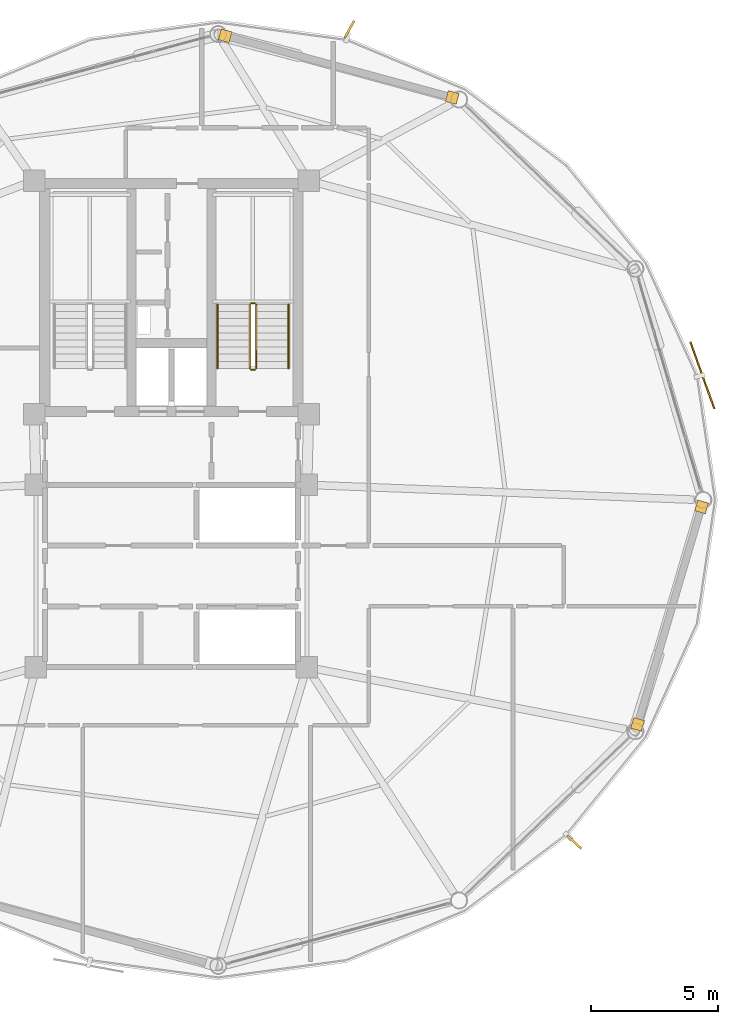
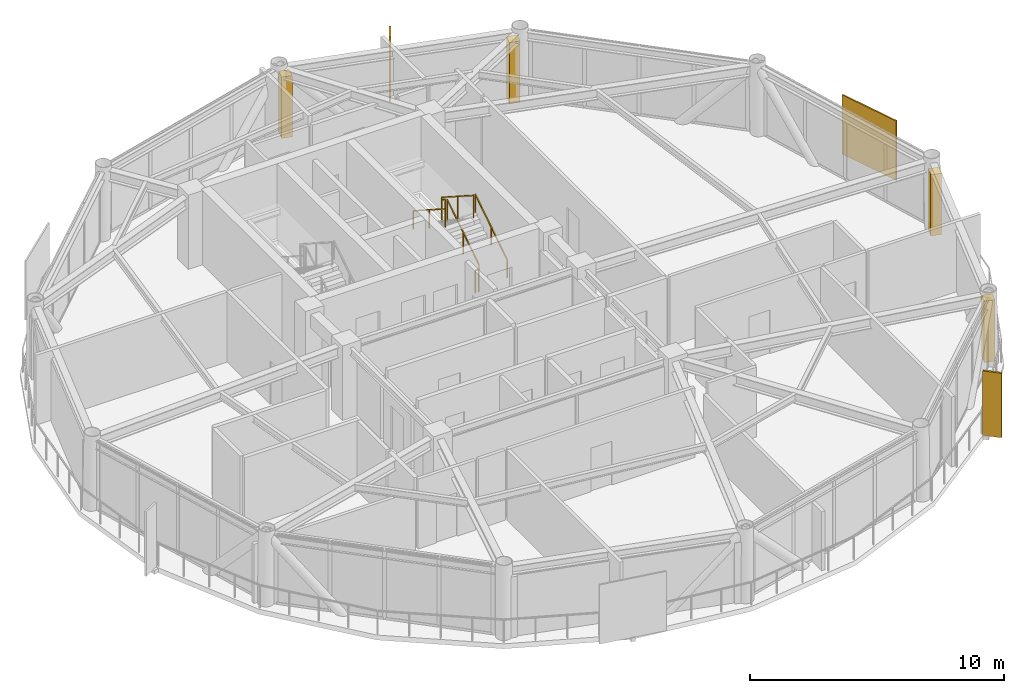
# One storey, part 28 of 28: 6 railings, 4 coverings, 3 shading devices.
"""IFC4 building model written with IfcOpenShell, lengths in metres."""

from ifc_helpers import new_model, si_unit, direction, frame, origin, origin_2d, place, context, subcontext, project, spatial, rectangle, extrude, source, transform, mapped, material, layer, layer_set, type_object, type_shapes, element, save


model = new_model("IFC4")

# Units and contexts
model_context = context("Model", 3, precision=1e-05, world=origin(), true_north=direction((0.0, 1.0)))
body_context = subcontext(model_context, "Body", "Model", "MODEL_VIEW")
ifc_project = project(units=[si_unit("LENGTHUNIT", "METRE"), si_unit("AREAUNIT", "SQUARE_METRE"), si_unit("VOLUMEUNIT", "CUBIC_METRE"), si_unit("PLANEANGLEUNIT", "RADIAN"), si_unit("MASSUNIT", "GRAM", prefix="KILO")], contexts=[model_context])

# Site, building, storey
site_placement = place(None, origin())
site = spatial("IfcSite", under=ifc_project, at=site_placement, CompositionType="ELEMENT")
building_placement = place(site_placement, origin())
building = spatial("IfcBuilding", under=site, at=building_placement, Name="Varnakorn Sky Granary", CompositionType="ELEMENT")
storey_placement = place(building_placement, frame((0.0, 0.0, 211.199951171875)))
storey = spatial("IfcBuildingStorey", under=building, at=storey_placement, Name="L53", CompositionType="ELEMENT", Elevation=211.199951171875)

# Railings
ifc_material_1 = material(Name="Brushed Stainless Steel 316", Category="steel")
railing_type_1 = type_object("IfcRailingType", Name="RL-STAIR-1100", PredefinedType="GUARDRAIL", material=ifc_material_1)
railing_1_placement = place(storey_placement, frame((6.35009765625, 5.199951171875, 0.179931640625)))
element("IfcRailing", 1, at=railing_1_placement, inside=storey, type_object=railing_type_1, Name="L53 ST-2 stair guard 1", PredefinedType="GUARDRAIL", context=body_context, shape_type="SweptSolid", body=[
    extrude(rectangle(XDim=0.048095703125, YDim=0.048095703125, at=origin_2d()), frame((0.0, 0.0, 1.076171875), z_axis=(0.0, 0.841162588446, 0.540782303519), x_axis=(-1.0, 0.0, 0.0)), (0.0, 0.0, 1.0), 2.995849609375),
    extrude(rectangle(XDim=0.0419921875, YDim=0.0419921875, at=origin_2d()), origin(), (0.0, 0.0, 1.0), 1.048095703125),
    extrude(rectangle(XDim=0.0419921875, YDim=0.0419921875, at=origin_2d()), frame((0.0, 1.260009765625, 0.81005859375)), (0.0, 0.0, 1.0), 1.048095703125),
    extrude(rectangle(XDim=0.0419921875, YDim=0.0419921875, at=origin_2d()), frame((0.0, 2.52001953125, 1.6201171875)), (0.0, 0.0, 1.0), 1.048095703125),
])
railing_2_placement = place(storey_placement, frame((6.300048828125, 7.77001953125, 1.800048828125)))
element("IfcRailing", 2, at=railing_2_placement, inside=storey, type_object=railing_type_1, Name="L53 ST-2 stair guard 2", PredefinedType="GUARDRAIL", context=body_context, shape_type="SweptSolid", body=[
    extrude(rectangle(XDim=0.048095703125, YDim=0.048095703125, at=origin_2d()), frame((0.0, 0.0, 1.076171875), z_axis=(-1.0, 0.0, 0.0), x_axis=(0.0, -1.0, 0.0)), (0.0, 0.0, 1.0), 0.150146484375),
    extrude(rectangle(XDim=0.0419921875, YDim=0.0419921875, at=origin_2d()), origin(), (0.0, 0.0, 1.0), 1.048095703125),
    extrude(rectangle(XDim=0.0419921875, YDim=0.0419921875, at=origin_2d()), frame((-0.150146484375, 0.0, 0.0)), (0.0, 0.0, 1.0), 1.048095703125),
])
railing_3_placement = place(storey_placement, frame((6.10009765625, 7.719970703125, 1.97998046875)))
element("IfcRailing", 3, at=railing_3_placement, inside=storey, type_object=railing_type_1, Name="L53 ST-2 stair guard 3", PredefinedType="GUARDRAIL", context=body_context, shape_type="SweptSolid", body=[
    extrude(rectangle(XDim=0.048095703125, YDim=0.048095703125, at=origin_2d()), frame((0.0, 0.0, 1.076171875), z_axis=(0.0, -0.841162588446, 0.540782303519), x_axis=(1.0, 0.0, 0.0)), (0.0, 0.0, 1.0), 2.995849609375),
    extrude(rectangle(XDim=0.0419921875, YDim=0.0419921875, at=origin_2d()), origin(), (0.0, 0.0, 1.0), 1.048095703125),
    extrude(rectangle(XDim=0.0419921875, YDim=0.0419921875, at=origin_2d()), frame((0.0, -1.260009765625, 0.81005859375)), (0.0, 0.0, 1.0), 1.048095703125),
    extrude(rectangle(XDim=0.0419921875, YDim=0.0419921875, at=origin_2d()), frame((0.0, -2.52001953125, 1.6201171875)), (0.0, 0.0, 1.0), 1.048095703125),
])
railing_4_placement = place(storey_placement, frame((6.300048828125, 5.14990234375, 0.0)))
element("IfcRailing", 4, at=railing_4_placement, inside=storey, type_object=railing_type_1, Name="L53 ST-2 stair guard 4", PredefinedType="GUARDRAIL", context=body_context, shape_type="SweptSolid", body=[
    extrude(rectangle(XDim=0.048095703125, YDim=0.048095703125, at=origin_2d()), frame((0.0, 0.0, 1.076171875), z_axis=(-1.0, 0.0, 0.0), x_axis=(0.0, -1.0, 0.0)), (0.0, 0.0, 1.0), 0.150146484375),
    extrude(rectangle(XDim=0.0419921875, YDim=0.0419921875, at=origin_2d()), origin(), (0.0, 0.0, 1.0), 1.048095703125),
    extrude(rectangle(XDim=0.0419921875, YDim=0.0419921875, at=origin_2d()), frame((-0.150146484375, 0.0, 0.0)), (0.0, 0.0, 1.0), 1.048095703125),
])
railing_type_2 = type_object("IfcRailingType", Name="RL-STAIR-920", PredefinedType="HANDRAIL", material=ifc_material_1)
railing_5_placement = place(storey_placement, frame((7.6298828125, 5.199951171875, 0.179931640625)))
element("IfcRailing", 5, at=railing_5_placement, inside=storey, type_object=railing_type_2, Name="L53 ST-2 stair handrail 1", PredefinedType="HANDRAIL", context=body_context, shape_type="SweptSolid", body=[
    extrude(rectangle(XDim=0.048095703125, YDim=0.048095703125, at=origin_2d()), frame((0.0, 0.0, 0.8759765625), z_axis=(0.0, 0.841162588446, 0.540782303519), x_axis=(-1.0, 0.0, 0.0)), (0.0, 0.0, 1.0), 2.995849609375),
    extrude(rectangle(XDim=0.0419921875, YDim=0.0419921875, at=origin_2d()), origin(), (0.0, 0.0, 1.0), 0.847900390625),
    extrude(rectangle(XDim=0.0419921875, YDim=0.0419921875, at=origin_2d()), frame((0.0, 1.260009765625, 0.81005859375)), (0.0, 0.0, 1.0), 0.847900390625),
    extrude(rectangle(XDim=0.0419921875, YDim=0.0419921875, at=origin_2d()), frame((0.0, 2.52001953125, 1.6201171875)), (0.0, 0.0, 1.0), 0.847900390625),
])
railing_6_placement = place(storey_placement, frame((4.820068359375, 7.719970703125, 1.97998046875)))
element("IfcRailing", 6, at=railing_6_placement, inside=storey, type_object=railing_type_2, Name="L53 ST-2 stair handrail 2", PredefinedType="HANDRAIL", context=body_context, shape_type="SweptSolid", body=[
    extrude(rectangle(XDim=0.048095703125, YDim=0.048095703125, at=origin_2d()), frame((0.0, 0.0, 0.8759765625), z_axis=(0.0, -0.841162588446, 0.540782303519), x_axis=(1.0, 0.0, 0.0)), (0.0, 0.0, 1.0), 2.995849609375),
    extrude(rectangle(XDim=0.0419921875, YDim=0.0419921875, at=origin_2d()), origin(), (0.0, 0.0, 1.0), 0.847900390625),
    extrude(rectangle(XDim=0.0419921875, YDim=0.0419921875, at=origin_2d()), frame((0.0, -1.260009765625, 0.81005859375)), (0.0, 0.0, 1.0), 0.847900390625),
    extrude(rectangle(XDim=0.0419921875, YDim=0.0419921875, at=origin_2d()), frame((0.0, -2.52001953125, 1.6201171875)), (0.0, 0.0, 1.0), 0.847900390625),
])

# Coverings
ifc_material_2 = material(Name="Anodised Bronze Aluminium Alloy 6063-T6", Category="aluminium")
ifc_layer = layer(ifc_material_2, 0.050048828125, Name="Anodised Bronze Aluminium Alloy 6063-T6")
ifc_layer_set = layer_set([ifc_layer], Name="Anodised Bronze Aluminium Alloy 6063-T6")
covering_type = type_object("IfcCoveringType", Name="CV-CLAD-50", PredefinedType="CLADDING", material=ifc_layer_set)
shared_shape_1 = source(origin(), body_context, "Body", "SweptSolid", [
    extrude(rectangle(XDim=0.43994140625, YDim=0.43994140625, at=origin_2d()), origin(), (0.0, 0.0, 1.0), 2.949951171875),
])
type_shapes(covering_type, [shared_shape_1])
for number, where, z_axis, x_axis, name in (
    (7, (5.125, 18.33642578125, -0.02001953125), (0.0, 0.0, 1.0), (0.965107956967, -0.261852308371, 0.0), "Bronze Corner Pilaster Closure L53-P03-A"),
    (8, (14.093994140625, 15.902099609375, -0.02001953125), (0.0, 0.0, 1.0), (0.965107956967, -0.261852308371, 0.0), "Bronze Corner Pilaster Closure L53-P03-B"),
    (9, (23.942626953125, -0.2734375, -0.02001953125), (0.0, 0.0, 1.0), (-0.2820065759, -0.959412471854, 0.0), "Bronze Corner Pilaster Closure L53-P12-A"),
    (10, (21.417724609375, -8.864501953125, -0.02001953125), (0.0, 0.0, 1.0), (-0.2820065759, -0.959412471854, 0.0), "Bronze Corner Pilaster Closure L53-P12-B"),
):
    element("IfcCovering", number, at=place(storey_placement, frame(where, z_axis=z_axis, x_axis=x_axis)), inside=storey, type_object=covering_type, Name=name, PredefinedType="CLADDING", context=body_context, shape_type="MappedRepresentation", body=[
        mapped(shared_shape_1, transform((0.0, 0.0, 0.0), x_axis=(1.0, 0.0, 0.0), y_axis=(0.0, 1.0, 0.0), z_axis=(0.0, 0.0, 1.0), scale=1.0)),
    ])

# Shading devices
shading_device_type_1 = type_object("IfcShadingDeviceType", Name="SH-FIN-03", PredefinedType="USERDEFINED", material=ifc_material_2)
shared_shape_2 = source(origin(), body_context, "Body", "SweptSolid", [
    extrude(rectangle(XDim=0.0849609375, YDim=0.760009765625, at=origin_2d()), origin(), (0.0, 0.0, 1.0), 3.10009765625),
])
type_shapes(shading_device_type_1, [shared_shape_2])
for number, where, z_axis, x_axis, name in (
    (11, (10.035400390625, 18.5986328125, -0.0400390625), (0.0, 0.0, 1.0), (-0.87231654421, 0.488941557548, 0.0), "Bronze Solar-Tracking Vertical Blade FIN L53-03"),
    (12, (18.915771484375, -13.513916015625, -0.0400390625), (0.0, 0.0, 1.0), (0.68472254214, 0.728803842117, 0.0), "Bronze Solar-Tracking Vertical Blade FIN L53-11"),
):
    element("IfcShadingDevice", number, at=place(storey_placement, frame(where, z_axis=z_axis, x_axis=x_axis)), inside=storey, type_object=shading_device_type_1, Name=name, ObjectType="FIN", PredefinedType="USERDEFINED", context=body_context, shape_type="MappedRepresentation", body=[
        mapped(shared_shape_2, transform((0.0, 0.0, 0.0), x_axis=(1.0, 0.0, 0.0), y_axis=(0.0, 1.0, 0.0), z_axis=(0.0, 0.0, 1.0), scale=1.0)),
    ])
shading_device_type_2 = type_object("IfcShadingDeviceType", Name="SH-SCR-03", PredefinedType="USERDEFINED", material=ifc_material_2)
shared_shape_3 = source(origin(), body_context, "Body", "SweptSolid", [
    extrude(rectangle(XDim=2.800048828125, YDim=0.06494140625, at=origin_2d()), origin(), (0.0, 0.0, 1.0), 2.85009765625),
])
type_shapes(shading_device_type_2, [shared_shape_3])
shading_device_placement = place(storey_placement, frame((23.97412109375, 4.9248046875, -0.0400390625), z_axis=(0.0, 0.0, 1.0), x_axis=(-0.336940317965, 0.941526007145, 0.0)))
element("IfcShadingDevice", 13, at=shading_device_placement, inside=storey, type_object=shading_device_type_2, Name="Perforated Bronze Solar Screen Panel SCREEN L53-01", ObjectType="SCREEN", PredefinedType="USERDEFINED", context=body_context, shape_type="MappedRepresentation", body=[
    mapped(shared_shape_3, transform((0.0, 0.0, 0.0), x_axis=(1.0, 0.0, 0.0), y_axis=(0.0, 1.0, 0.0), z_axis=(0.0, 0.0, 1.0), scale=1.0)),
])

save(model, "model.ifc")
